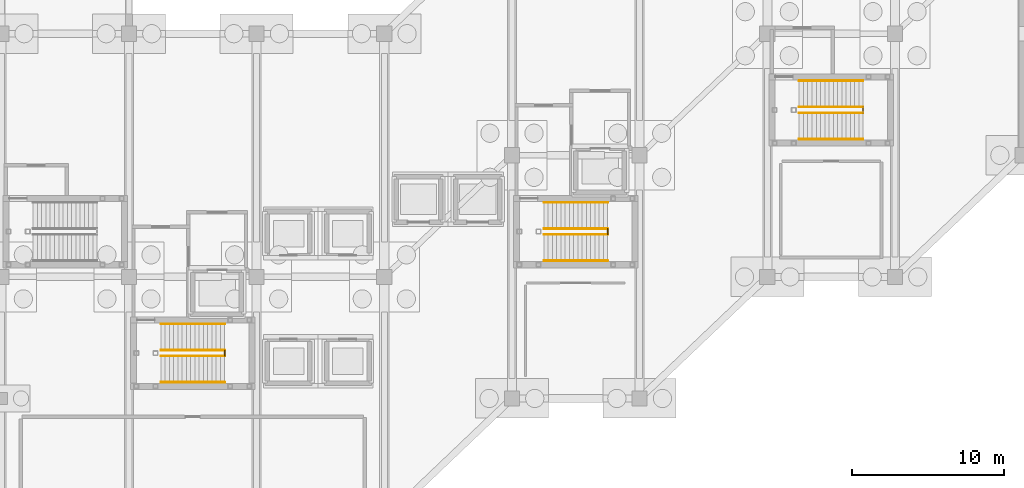
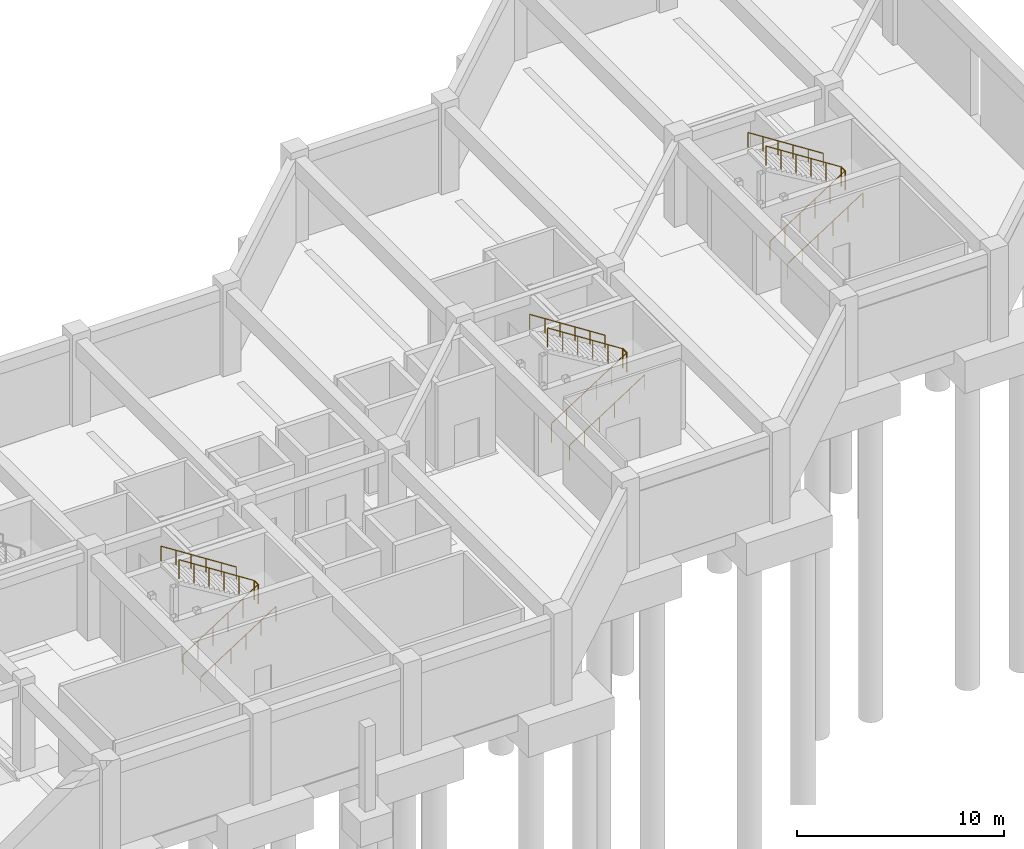
# One storey, part 55 of 56: 15 railings.
"""IFC4 building model written with IfcOpenShell, lengths in metres."""

from ifc_helpers import new_model, si_unit, direction, frame, origin, origin_2d, place, context, subcontext, project, spatial, circle, extrude, material, layer, layer_set, type_object, element, save


model = new_model("IFC4")

# Units and contexts
model_context = context("Model", 3, precision=1e-05, world=origin(), true_north=direction((0.0, 1.0)))
body_context = subcontext(model_context, "Body", "Model", "MODEL_VIEW")
ifc_project = project(units=[si_unit("LENGTHUNIT", "METRE"), si_unit("AREAUNIT", "SQUARE_METRE"), si_unit("VOLUMEUNIT", "CUBIC_METRE"), si_unit("PLANEANGLEUNIT", "RADIAN"), si_unit("MASSUNIT", "GRAM", prefix="KILO")], contexts=[model_context])

# Site, building, storey
site_placement = place(None, origin())
site = spatial("IfcSite", under=ifc_project, at=site_placement, CompositionType="ELEMENT")
building_placement = place(site_placement, origin())
building = spatial("IfcBuilding", under=site, at=building_placement, Name="Naruveol Harbour Congress Hotel", CompositionType="ELEMENT")
storey_placement = place(building_placement, frame((0.0, 0.0, -5.39990234375)))
storey = spatial("IfcBuildingStorey", under=building, at=storey_placement, Name="B01", CompositionType="ELEMENT", Elevation=-5.39990234375)

# Railings
ifc_material_1 = material(Name="Stainless Steel 304", Category="steel")
ifc_layer_1 = layer(ifc_material_1, 0.0419921875)
ifc_layer_set_1 = layer_set([ifc_layer_1], Name="Stainless Steel 304")
railing_type_1 = type_object("IfcRailingType", Name="STAIR WALL MOUNTED HANDRAIL 900", PredefinedType="HANDRAIL", material=ifc_layer_set_1)
railing_1_placement = place(storey_placement, frame((128.10009765625, 9.06005859375, 0.0)))
element("IfcRailing", 1, at=railing_1_placement, inside=storey, type_object=railing_type_1, Name="Stair ST1 B01 lower wall handrail", PredefinedType="HANDRAIL", context=body_context, shape_type="SweptSolid", body=[
    extrude(circle(Radius=0.02392578125, at=origin_2d()), frame((0.0, 0.0, 0.8759765625), z_axis=(0.841180064094, 0.0, 0.540755119968), x_axis=(0.0, 1.0, 0.0)), (0.0, 0.0, 1.0), 4.992919921875),
    extrude(circle(Radius=0.02099609375, at=origin_2d()), origin(), (0.0, 0.0, 1.0), 0.851806640625),
    extrude(circle(Radius=0.02099609375, at=origin_2d()), frame((0.840087890625, 0.0, 0.5400390625)), (0.0, 0.0, 1.0), 0.851806640625),
    extrude(circle(Radius=0.02099609375, at=origin_2d()), frame((1.679931640625, 0.0, 1.080078125)), (0.0, 0.0, 1.0), 0.851806640625),
    extrude(circle(Radius=0.02099609375, at=origin_2d()), frame((2.52001953125, 0.0, 1.619873046875)), (0.0, 0.0, 1.0), 0.851806640625),
    extrude(circle(Radius=0.02099609375, at=origin_2d()), frame((3.35986328125, 0.0, 2.159912109375)), (0.0, 0.0, 1.0), 0.851806640625),
    extrude(circle(Radius=0.02099609375, at=origin_2d()), frame((4.199951171875, 0.0, 2.699951171875)), (0.0, 0.0, 1.0), 0.851806640625),
])
railing_2_placement = place(storey_placement, frame((132.300048828125, 12.89990234375, 2.699951171875)))
element("IfcRailing", 2, at=railing_2_placement, inside=storey, type_object=railing_type_1, Name="Stair ST1 B01 upper wall handrail", PredefinedType="HANDRAIL", context=body_context, shape_type="SweptSolid", body=[
    extrude(circle(Radius=0.02392578125, at=origin_2d()), frame((0.0, 0.0, 0.8759765625), z_axis=(-0.841180064094, 0.0, 0.540755119968), x_axis=(0.0, -1.0, 0.0)), (0.0, 0.0, 1.0), 4.992919921875),
    extrude(circle(Radius=0.02099609375, at=origin_2d()), origin(), (0.0, 0.0, 1.0), 0.851806640625),
    extrude(circle(Radius=0.02099609375, at=origin_2d()), frame((-0.840087890625, 0.0, 0.5400390625)), (0.0, 0.0, 1.0), 0.851806640625),
    extrude(circle(Radius=0.02099609375, at=origin_2d()), frame((-1.679931640625, 0.0, 1.080078125)), (0.0, 0.0, 1.0), 0.851806640625),
    extrude(circle(Radius=0.02099609375, at=origin_2d()), frame((-2.52001953125, 0.0, 1.619873046875)), (0.0, 0.0, 1.0), 0.851806640625),
    extrude(circle(Radius=0.02099609375, at=origin_2d()), frame((-3.35986328125, 0.0, 2.159912109375)), (0.0, 0.0, 1.0), 0.851806640625),
    extrude(circle(Radius=0.02099609375, at=origin_2d()), frame((-4.199951171875, 0.0, 2.699951171875)), (0.0, 0.0, 1.0), 0.851806640625),
])
railing_3_placement = place(storey_placement, frame((153.300048828125, 17.06005859375, 0.0)))
element("IfcRailing", 3, at=railing_3_placement, inside=storey, type_object=railing_type_1, Name="Stair ST2 B01 lower wall handrail", PredefinedType="HANDRAIL", context=body_context, shape_type="SweptSolid", body=[
    extrude(circle(Radius=0.02392578125, at=origin_2d()), frame((0.0, 0.0, 0.8759765625), z_axis=(0.841180064094, 0.0, 0.540755119968), x_axis=(0.0, 1.0, 0.0)), (0.0, 0.0, 1.0), 4.992919921875),
    extrude(circle(Radius=0.02099609375, at=origin_2d()), origin(), (0.0, 0.0, 1.0), 0.851806640625),
    extrude(circle(Radius=0.02099609375, at=origin_2d()), frame((0.840087890625, 0.0, 0.5400390625)), (0.0, 0.0, 1.0), 0.851806640625),
    extrude(circle(Radius=0.02099609375, at=origin_2d()), frame((1.679931640625, 0.0, 1.080078125)), (0.0, 0.0, 1.0), 0.851806640625),
    extrude(circle(Radius=0.02099609375, at=origin_2d()), frame((2.52001953125, 0.0, 1.619873046875)), (0.0, 0.0, 1.0), 0.851806640625),
    extrude(circle(Radius=0.02099609375, at=origin_2d()), frame((3.35986328125, 0.0, 2.159912109375)), (0.0, 0.0, 1.0), 0.851806640625),
    extrude(circle(Radius=0.02099609375, at=origin_2d()), frame((4.199951171875, 0.0, 2.699951171875)), (0.0, 0.0, 1.0), 0.851806640625),
])
railing_4_placement = place(storey_placement, frame((157.5, 20.89990234375, 2.699951171875)))
element("IfcRailing", 4, at=railing_4_placement, inside=storey, type_object=railing_type_1, Name="Stair ST2 B01 upper wall handrail", PredefinedType="HANDRAIL", context=body_context, shape_type="SweptSolid", body=[
    extrude(circle(Radius=0.02392578125, at=origin_2d()), frame((0.0, 0.0, 0.8759765625), z_axis=(-0.841180064094, 0.0, 0.540755119968), x_axis=(0.0, -1.0, 0.0)), (0.0, 0.0, 1.0), 4.992919921875),
    extrude(circle(Radius=0.02099609375, at=origin_2d()), origin(), (0.0, 0.0, 1.0), 0.851806640625),
    extrude(circle(Radius=0.02099609375, at=origin_2d()), frame((-0.840087890625, 0.0, 0.5400390625)), (0.0, 0.0, 1.0), 0.851806640625),
    extrude(circle(Radius=0.02099609375, at=origin_2d()), frame((-1.679931640625, 0.0, 1.080078125)), (0.0, 0.0, 1.0), 0.851806640625),
    extrude(circle(Radius=0.02099609375, at=origin_2d()), frame((-2.52001953125, 0.0, 1.619873046875)), (0.0, 0.0, 1.0), 0.851806640625),
    extrude(circle(Radius=0.02099609375, at=origin_2d()), frame((-3.35986328125, 0.0, 2.159912109375)), (0.0, 0.0, 1.0), 0.851806640625),
    extrude(circle(Radius=0.02099609375, at=origin_2d()), frame((-4.199951171875, 0.0, 2.699951171875)), (0.0, 0.0, 1.0), 0.851806640625),
])
railing_5_placement = place(storey_placement, frame((170.10009765625, 25.06005859375, 0.0)))
element("IfcRailing", 5, at=railing_5_placement, inside=storey, type_object=railing_type_1, Name="Stair ST4 B01 lower wall handrail", PredefinedType="HANDRAIL", context=body_context, shape_type="SweptSolid", body=[
    extrude(circle(Radius=0.02392578125, at=origin_2d()), frame((0.0, 0.0, 0.8759765625), z_axis=(0.841180064094, 0.0, 0.540755119968), x_axis=(0.0, 1.0, 0.0)), (0.0, 0.0, 1.0), 4.992919921875),
    extrude(circle(Radius=0.02099609375, at=origin_2d()), origin(), (0.0, 0.0, 1.0), 0.851806640625),
    extrude(circle(Radius=0.02099609375, at=origin_2d()), frame((0.840087890625, 0.0, 0.5400390625)), (0.0, 0.0, 1.0), 0.851806640625),
    extrude(circle(Radius=0.02099609375, at=origin_2d()), frame((1.679931640625, 0.0, 1.080078125)), (0.0, 0.0, 1.0), 0.851806640625),
    extrude(circle(Radius=0.02099609375, at=origin_2d()), frame((2.52001953125, 0.0, 1.619873046875)), (0.0, 0.0, 1.0), 0.851806640625),
    extrude(circle(Radius=0.02099609375, at=origin_2d()), frame((3.35986328125, 0.0, 2.159912109375)), (0.0, 0.0, 1.0), 0.851806640625),
    extrude(circle(Radius=0.02099609375, at=origin_2d()), frame((4.199951171875, 0.0, 2.699951171875)), (0.0, 0.0, 1.0), 0.851806640625),
])
railing_6_placement = place(storey_placement, frame((174.300048828125, 28.89990234375, 2.699951171875)))
element("IfcRailing", 6, at=railing_6_placement, inside=storey, type_object=railing_type_1, Name="Stair ST4 B01 upper wall handrail", PredefinedType="HANDRAIL", context=body_context, shape_type="SweptSolid", body=[
    extrude(circle(Radius=0.02392578125, at=origin_2d()), frame((0.0, 0.0, 0.8759765625), z_axis=(-0.841180064094, 0.0, 0.540755119968), x_axis=(0.0, -1.0, 0.0)), (0.0, 0.0, 1.0), 4.992919921875),
    extrude(circle(Radius=0.02099609375, at=origin_2d()), origin(), (0.0, 0.0, 1.0), 0.851806640625),
    extrude(circle(Radius=0.02099609375, at=origin_2d()), frame((-0.840087890625, 0.0, 0.5400390625)), (0.0, 0.0, 1.0), 0.851806640625),
    extrude(circle(Radius=0.02099609375, at=origin_2d()), frame((-1.679931640625, 0.0, 1.080078125)), (0.0, 0.0, 1.0), 0.851806640625),
    extrude(circle(Radius=0.02099609375, at=origin_2d()), frame((-2.52001953125, 0.0, 1.619873046875)), (0.0, 0.0, 1.0), 0.851806640625),
    extrude(circle(Radius=0.02099609375, at=origin_2d()), frame((-3.35986328125, 0.0, 2.159912109375)), (0.0, 0.0, 1.0), 0.851806640625),
    extrude(circle(Radius=0.02099609375, at=origin_2d()), frame((-4.199951171875, 0.0, 2.699951171875)), (0.0, 0.0, 1.0), 0.851806640625),
])
ifc_material_2 = material(Name="Steel SN490", Category="steel")
ifc_layer_2 = layer(ifc_material_2, 0.044921875)
ifc_layer_set_2 = layer_set([ifc_layer_2], Name="Steel SN490")
railing_type_2 = type_object("IfcRailingType", Name="STAIRWELL STEEL GUARDRAIL 1150", PredefinedType="GUARDRAIL", material=ifc_layer_set_2)
railing_7_placement = place(storey_placement, frame((128.10009765625, 10.7900390625, 0.0)))
element("IfcRailing", 7, at=railing_7_placement, inside=storey, type_object=railing_type_2, Name="Stair ST1 B01 lower well guard", PredefinedType="GUARDRAIL", context=body_context, shape_type="SweptSolid", body=[
    extrude(circle(Radius=0.02392578125, at=origin_2d()), frame((0.0, 0.0, 1.1259765625), z_axis=(0.841180064094, 0.0, 0.540755119968), x_axis=(0.0, 1.0, 0.0)), (0.0, 0.0, 1.0), 4.992919921875),
    extrude(circle(Radius=0.02099609375, at=origin_2d()), origin(), (0.0, 0.0, 1.0), 1.101806640625),
    extrude(circle(Radius=0.02099609375, at=origin_2d()), frame((0.840087890625, 0.0, 0.5400390625)), (0.0, 0.0, 1.0), 1.101806640625),
    extrude(circle(Radius=0.02099609375, at=origin_2d()), frame((1.679931640625, 0.0, 1.080078125)), (0.0, 0.0, 1.0), 1.101806640625),
    extrude(circle(Radius=0.02099609375, at=origin_2d()), frame((2.52001953125, 0.0, 1.619873046875)), (0.0, 0.0, 1.0), 1.101806640625),
    extrude(circle(Radius=0.02099609375, at=origin_2d()), frame((3.35986328125, 0.0, 2.159912109375)), (0.0, 0.0, 1.0), 1.101806640625),
    extrude(circle(Radius=0.02099609375, at=origin_2d()), frame((4.199951171875, 0.0, 2.699951171875)), (0.0, 0.0, 1.0), 1.101806640625),
])
railing_8_placement = place(storey_placement, frame((132.300048828125, 10.7900390625, 2.699951171875)))
element("IfcRailing", 8, at=railing_8_placement, inside=storey, type_object=railing_type_2, Name="Stair ST1 B01 half-landing slot guard", PredefinedType="GUARDRAIL", context=body_context, shape_type="SweptSolid", body=[
    extrude(circle(Radius=0.02392578125, at=origin_2d()), frame((0.0, 0.0, 1.1259765625), z_axis=(0.0, 1.0, 0.0), x_axis=(-1.0, 0.0, 0.0)), (0.0, 0.0, 1.0), 0.3798828125),
    extrude(circle(Radius=0.02099609375, at=origin_2d()), origin(), (0.0, 0.0, 1.0), 1.101806640625),
    extrude(circle(Radius=0.02099609375, at=origin_2d()), frame((0.0, 0.3798828125, 0.0)), (0.0, 0.0, 1.0), 1.101806640625),
])
railing_9_placement = place(storey_placement, frame((132.300048828125, 11.169921875, 2.699951171875)))
element("IfcRailing", 9, at=railing_9_placement, inside=storey, type_object=railing_type_2, Name="Stair ST1 B01 upper well guard", PredefinedType="GUARDRAIL", context=body_context, shape_type="SweptSolid", body=[
    extrude(circle(Radius=0.02392578125, at=origin_2d()), frame((0.0, 0.0, 1.1259765625), z_axis=(-0.841180064094, 0.0, 0.540755119968), x_axis=(0.0, -1.0, 0.0)), (0.0, 0.0, 1.0), 4.992919921875),
    extrude(circle(Radius=0.02099609375, at=origin_2d()), origin(), (0.0, 0.0, 1.0), 1.101806640625),
    extrude(circle(Radius=0.02099609375, at=origin_2d()), frame((-0.840087890625, 0.0, 0.5400390625)), (0.0, 0.0, 1.0), 1.101806640625),
    extrude(circle(Radius=0.02099609375, at=origin_2d()), frame((-1.679931640625, 0.0, 1.080078125)), (0.0, 0.0, 1.0), 1.101806640625),
    extrude(circle(Radius=0.02099609375, at=origin_2d()), frame((-2.52001953125, 0.0, 1.619873046875)), (0.0, 0.0, 1.0), 1.101806640625),
    extrude(circle(Radius=0.02099609375, at=origin_2d()), frame((-3.35986328125, 0.0, 2.159912109375)), (0.0, 0.0, 1.0), 1.101806640625),
    extrude(circle(Radius=0.02099609375, at=origin_2d()), frame((-4.199951171875, 0.0, 2.699951171875)), (0.0, 0.0, 1.0), 1.101806640625),
])
railing_10_placement = place(storey_placement, frame((153.300048828125, 18.7900390625, 0.0)))
element("IfcRailing", 10, at=railing_10_placement, inside=storey, type_object=railing_type_2, Name="Stair ST2 B01 lower well guard", PredefinedType="GUARDRAIL", context=body_context, shape_type="SweptSolid", body=[
    extrude(circle(Radius=0.02392578125, at=origin_2d()), frame((0.0, 0.0, 1.1259765625), z_axis=(0.841180064094, 0.0, 0.540755119968), x_axis=(0.0, 1.0, 0.0)), (0.0, 0.0, 1.0), 4.992919921875),
    extrude(circle(Radius=0.02099609375, at=origin_2d()), origin(), (0.0, 0.0, 1.0), 1.101806640625),
    extrude(circle(Radius=0.02099609375, at=origin_2d()), frame((0.840087890625, 0.0, 0.5400390625)), (0.0, 0.0, 1.0), 1.101806640625),
    extrude(circle(Radius=0.02099609375, at=origin_2d()), frame((1.679931640625, 0.0, 1.080078125)), (0.0, 0.0, 1.0), 1.101806640625),
    extrude(circle(Radius=0.02099609375, at=origin_2d()), frame((2.52001953125, 0.0, 1.619873046875)), (0.0, 0.0, 1.0), 1.101806640625),
    extrude(circle(Radius=0.02099609375, at=origin_2d()), frame((3.35986328125, 0.0, 2.159912109375)), (0.0, 0.0, 1.0), 1.101806640625),
    extrude(circle(Radius=0.02099609375, at=origin_2d()), frame((4.199951171875, 0.0, 2.699951171875)), (0.0, 0.0, 1.0), 1.101806640625),
])
railing_11_placement = place(storey_placement, frame((157.5, 18.7900390625, 2.699951171875)))
element("IfcRailing", 11, at=railing_11_placement, inside=storey, type_object=railing_type_2, Name="Stair ST2 B01 half-landing slot guard", PredefinedType="GUARDRAIL", context=body_context, shape_type="SweptSolid", body=[
    extrude(circle(Radius=0.02392578125, at=origin_2d()), frame((0.0, 0.0, 1.1259765625), z_axis=(0.0, 1.0, 0.0), x_axis=(-1.0, 0.0, 0.0)), (0.0, 0.0, 1.0), 0.3798828125),
    extrude(circle(Radius=0.02099609375, at=origin_2d()), origin(), (0.0, 0.0, 1.0), 1.101806640625),
    extrude(circle(Radius=0.02099609375, at=origin_2d()), frame((0.0, 0.3798828125, 0.0)), (0.0, 0.0, 1.0), 1.101806640625),
])
railing_12_placement = place(storey_placement, frame((157.5, 19.169921875, 2.699951171875)))
element("IfcRailing", 12, at=railing_12_placement, inside=storey, type_object=railing_type_2, Name="Stair ST2 B01 upper well guard", PredefinedType="GUARDRAIL", context=body_context, shape_type="SweptSolid", body=[
    extrude(circle(Radius=0.02392578125, at=origin_2d()), frame((0.0, 0.0, 1.1259765625), z_axis=(-0.841180064094, 0.0, 0.540755119968), x_axis=(0.0, -1.0, 0.0)), (0.0, 0.0, 1.0), 4.992919921875),
    extrude(circle(Radius=0.02099609375, at=origin_2d()), origin(), (0.0, 0.0, 1.0), 1.101806640625),
    extrude(circle(Radius=0.02099609375, at=origin_2d()), frame((-0.840087890625, 0.0, 0.5400390625)), (0.0, 0.0, 1.0), 1.101806640625),
    extrude(circle(Radius=0.02099609375, at=origin_2d()), frame((-1.679931640625, 0.0, 1.080078125)), (0.0, 0.0, 1.0), 1.101806640625),
    extrude(circle(Radius=0.02099609375, at=origin_2d()), frame((-2.52001953125, 0.0, 1.619873046875)), (0.0, 0.0, 1.0), 1.101806640625),
    extrude(circle(Radius=0.02099609375, at=origin_2d()), frame((-3.35986328125, 0.0, 2.159912109375)), (0.0, 0.0, 1.0), 1.101806640625),
    extrude(circle(Radius=0.02099609375, at=origin_2d()), frame((-4.199951171875, 0.0, 2.699951171875)), (0.0, 0.0, 1.0), 1.101806640625),
])
railing_13_placement = place(storey_placement, frame((170.10009765625, 26.7900390625, 0.0)))
element("IfcRailing", 13, at=railing_13_placement, inside=storey, type_object=railing_type_2, Name="Stair ST4 B01 lower well guard", PredefinedType="GUARDRAIL", context=body_context, shape_type="SweptSolid", body=[
    extrude(circle(Radius=0.02392578125, at=origin_2d()), frame((0.0, 0.0, 1.1259765625), z_axis=(0.841180064094, 0.0, 0.540755119968), x_axis=(0.0, 1.0, 0.0)), (0.0, 0.0, 1.0), 4.992919921875),
    extrude(circle(Radius=0.02099609375, at=origin_2d()), origin(), (0.0, 0.0, 1.0), 1.101806640625),
    extrude(circle(Radius=0.02099609375, at=origin_2d()), frame((0.840087890625, 0.0, 0.5400390625)), (0.0, 0.0, 1.0), 1.101806640625),
    extrude(circle(Radius=0.02099609375, at=origin_2d()), frame((1.679931640625, 0.0, 1.080078125)), (0.0, 0.0, 1.0), 1.101806640625),
    extrude(circle(Radius=0.02099609375, at=origin_2d()), frame((2.52001953125, 0.0, 1.619873046875)), (0.0, 0.0, 1.0), 1.101806640625),
    extrude(circle(Radius=0.02099609375, at=origin_2d()), frame((3.35986328125, 0.0, 2.159912109375)), (0.0, 0.0, 1.0), 1.101806640625),
    extrude(circle(Radius=0.02099609375, at=origin_2d()), frame((4.199951171875, 0.0, 2.699951171875)), (0.0, 0.0, 1.0), 1.101806640625),
])
railing_14_placement = place(storey_placement, frame((174.300048828125, 26.7900390625, 2.699951171875)))
element("IfcRailing", 14, at=railing_14_placement, inside=storey, type_object=railing_type_2, Name="Stair ST4 B01 half-landing slot guard", PredefinedType="GUARDRAIL", context=body_context, shape_type="SweptSolid", body=[
    extrude(circle(Radius=0.02392578125, at=origin_2d()), frame((0.0, 0.0, 1.1259765625), z_axis=(0.0, 1.0, 0.0), x_axis=(-1.0, 0.0, 0.0)), (0.0, 0.0, 1.0), 0.3798828125),
    extrude(circle(Radius=0.02099609375, at=origin_2d()), origin(), (0.0, 0.0, 1.0), 1.101806640625),
    extrude(circle(Radius=0.02099609375, at=origin_2d()), frame((0.0, 0.3798828125, 0.0)), (0.0, 0.0, 1.0), 1.101806640625),
])
railing_15_placement = place(storey_placement, frame((174.300048828125, 27.169921875, 2.699951171875)))
element("IfcRailing", 15, at=railing_15_placement, inside=storey, type_object=railing_type_2, Name="Stair ST4 B01 upper well guard", PredefinedType="GUARDRAIL", context=body_context, shape_type="SweptSolid", body=[
    extrude(circle(Radius=0.02392578125, at=origin_2d()), frame((0.0, 0.0, 1.1259765625), z_axis=(-0.841180064094, 0.0, 0.540755119968), x_axis=(0.0, -1.0, 0.0)), (0.0, 0.0, 1.0), 4.992919921875),
    extrude(circle(Radius=0.02099609375, at=origin_2d()), origin(), (0.0, 0.0, 1.0), 1.101806640625),
    extrude(circle(Radius=0.02099609375, at=origin_2d()), frame((-0.840087890625, 0.0, 0.5400390625)), (0.0, 0.0, 1.0), 1.101806640625),
    extrude(circle(Radius=0.02099609375, at=origin_2d()), frame((-1.679931640625, 0.0, 1.080078125)), (0.0, 0.0, 1.0), 1.101806640625),
    extrude(circle(Radius=0.02099609375, at=origin_2d()), frame((-2.52001953125, 0.0, 1.619873046875)), (0.0, 0.0, 1.0), 1.101806640625),
    extrude(circle(Radius=0.02099609375, at=origin_2d()), frame((-3.35986328125, 0.0, 2.159912109375)), (0.0, 0.0, 1.0), 1.101806640625),
    extrude(circle(Radius=0.02099609375, at=origin_2d()), frame((-4.199951171875, 0.0, 2.699951171875)), (0.0, 0.0, 1.0), 1.101806640625),
])

save(model, "model.ifc")
